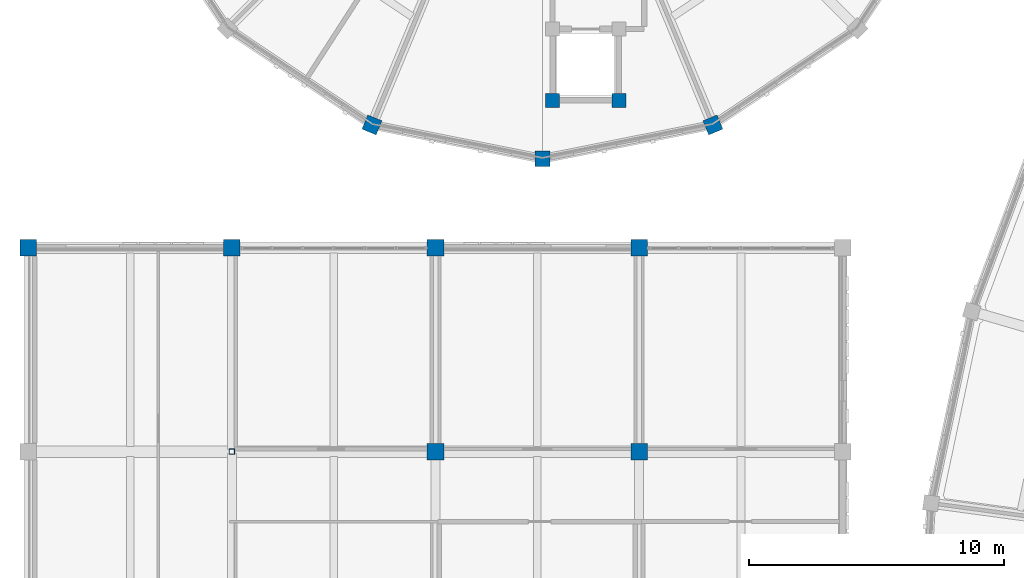
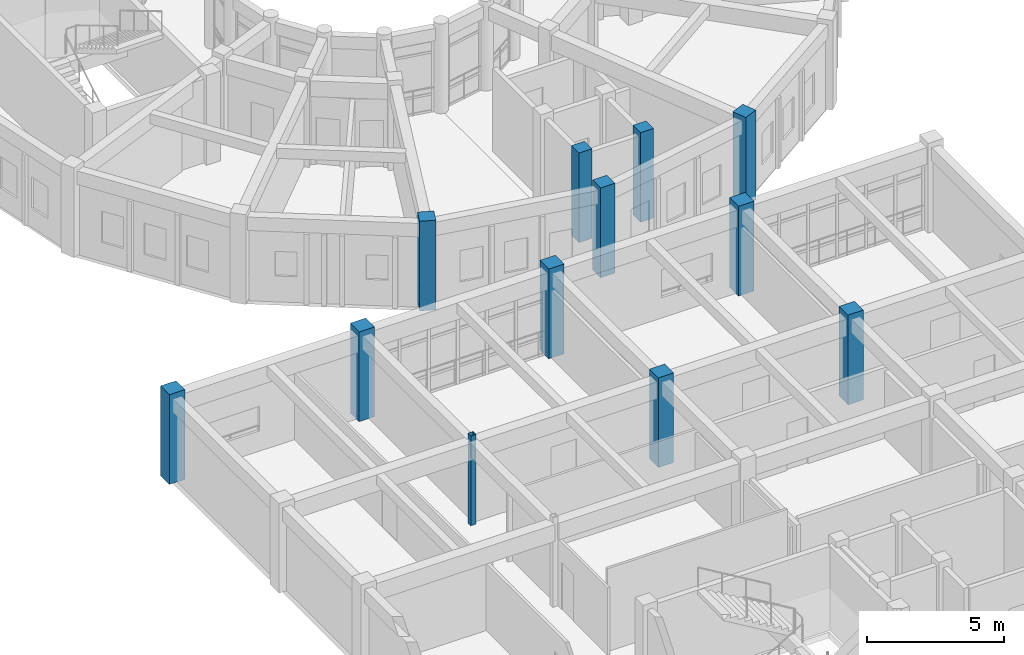
# One storey, part 5 of 112: 12 columns.
"""IFC4 building model written with IfcOpenShell, lengths in metres."""

from ifc_helpers import new_model, si_unit, direction, frame, origin, origin_2d, place, context, subcontext, project, spatial, rectangle, hollow_rectangle, extrude, material, material_profile, profile_set, type_object, element, save


model = new_model("IFC4")

# Units and contexts
model_context = context("Model", 3, precision=1e-05, world=origin(), true_north=direction((0.0, 1.0)))
body_context = subcontext(model_context, "Body", "Model", "MODEL_VIEW")
ifc_project = project(units=[si_unit("LENGTHUNIT", "METRE"), si_unit("AREAUNIT", "SQUARE_METRE"), si_unit("VOLUMEUNIT", "CUBIC_METRE"), si_unit("PLANEANGLEUNIT", "RADIAN"), si_unit("MASSUNIT", "GRAM", prefix="KILO")], contexts=[model_context])

# Site, building, storey
site_placement = place(None, origin())
site = spatial("IfcSite", under=ifc_project, at=site_placement, CompositionType="ELEMENT")
building_placement = place(site_placement, origin())
building = spatial("IfcBuilding", under=site, at=building_placement, Name="Celadon Cloister-Ring School", CompositionType="ELEMENT")
storey_placement = place(building_placement, frame((0.0, 0.0, 8.5)))
storey = spatial("IfcBuildingStorey", under=building, at=storey_placement, Name="L02", CompositionType="ELEMENT", Elevation=8.5)

# Columns
ifc_material_1 = material(Name="Concrete C40/50", Category="concrete")
ifc_material_profile_1 = material_profile(ifc_material_1, rectangle(XDim=0.64990234375, YDim=0.64990234375, at=origin_2d()), Name="RC650X650")
ifc_profile_set_1 = profile_set([ifc_material_profile_1], Name="Concrete C40/50")
column_type_1 = type_object("IfcColumnType", Name="CT-03", PredefinedType="COLUMN", material=ifc_profile_set_1)
for number, where, z_axis, x_axis, name in (
    (1, (16.0, 68.0, 0.0), (0.0, 0.0, 1.0), (1.0, 0.0, 0.0), "Column 1106"),
    (2, (24.0, 68.0, 0.0), (0.0, 0.0, 1.0), (1.0, 0.0, 0.0), "Column 1140"),
):
    element("IfcColumn", number, at=place(storey_placement, frame(where, z_axis=z_axis, x_axis=x_axis)), inside=storey, type_object=column_type_1, Name=name, PredefinedType="COLUMN", context=body_context, shape_type="SweptSolid", body=[
        extrude(rectangle(XDim=0.64990234375, YDim=0.64990234375, at=origin_2d()), origin(), (0.0, 0.0, 1.0), 4.0),
    ])
ifc_material_2 = material(Name="Concrete C40/50", Category="concrete")
ifc_material_profile_2 = material_profile(ifc_material_2, rectangle(XDim=0.550048828125, YDim=0.550048828125, at=origin_2d()), Name="RC550X550")
ifc_profile_set_2 = profile_set([ifc_material_profile_2], Name="Concrete C40/50")
column_type_2 = type_object("IfcColumnType", Name="CT-05", PredefinedType="COLUMN", material=ifc_profile_set_2)
for number, where, z_axis, x_axis, name in (
    (3, (20.60009765625, 81.800048828125, 0.0), (0.0, 0.0, 1.0), (1.0, 0.0, 0.0), "Column 0278"),
    (4, (23.199951171875, 81.800048828125, 0.0), (0.0, 0.0, 1.0), (1.0, 0.0, 0.0), "Column 0282"),
):
    element("IfcColumn", number, at=place(storey_placement, frame(where, z_axis=z_axis, x_axis=x_axis)), inside=storey, type_object=column_type_2, Name=name, PredefinedType="COLUMN", context=body_context, shape_type="SweptSolid", body=[
        extrude(rectangle(XDim=0.550048828125, YDim=0.550048828125, at=origin_2d()), origin(), (0.0, 0.0, 1.0), 4.0),
    ])
ifc_material_3 = material(Name="Structural steel S355JR", Category="steel")
ifc_material_profile_3 = material_profile(ifc_material_3, hollow_rectangle(XDim=0.219970703125, YDim=0.219970703125, WallThickness=0.010009765625, at=origin_2d()), Name="HSS220X220X10")
ifc_profile_set_3 = profile_set([ifc_material_profile_3], Name="Structural steel S355JR")
column_type_3 = type_object("IfcColumnType", Name="CT-09", PredefinedType="COLUMN", material=ifc_profile_set_3)
column_placement = place(storey_placement, frame((8.0, 68.0, 0.0), z_axis=(0.0, 0.0, 1.0), x_axis=(1.0, 0.0, 0.0)))
element("IfcColumn", 5, at=column_placement, inside=storey, type_object=column_type_3, Name="Column 1191", PredefinedType="COLUMN", context=body_context, shape_type="SweptSolid", body=[
    extrude(hollow_rectangle(XDim=0.219970703125, YDim=0.219970703125, WallThickness=0.010009765625, at=origin_2d()), origin(), (0.0, 0.0, 1.0), 4.0),
])
ifc_material_4 = material(Name="Concrete C40/50", Category="concrete")
ifc_material_profile_4 = material_profile(ifc_material_4, rectangle(XDim=0.64990234375, YDim=0.64990234375, at=origin_2d()), Name="RC650X650")
ifc_profile_set_4 = profile_set([ifc_material_profile_4], Name="Concrete C40/50")
column_type_4 = type_object("IfcColumnType", Name="CT-22", PredefinedType="COLUMN", material=ifc_profile_set_4)
for number, where, z_axis, x_axis, name in (
    (6, (0.0, 76.0, 0.0), (0.0, 0.0, 1.0), (1.0, 0.0, 0.0), "Column 1090"),
    (7, (16.0, 76.0, 0.0), (0.0, 0.0, 1.0), (1.0, 0.0, 0.0), "Column 1112"),
    (8, (24.0, 76.0, 0.0), (0.0, 0.0, 1.0), (1.0, 0.0, 0.0), "Column 1146"),
    (9, (8.0, 76.0, 0.0), (0.0, 0.0, 1.0), (1.0, 0.0, 0.0), "Column 1197"),
):
    element("IfcColumn", number, at=place(storey_placement, frame(where, z_axis=z_axis, x_axis=x_axis)), inside=storey, type_object=column_type_4, Name=name, PredefinedType="COLUMN", context=body_context, shape_type="SweptSolid", body=[
        extrude(rectangle(XDim=0.64990234375, YDim=0.64990234375, at=origin_2d()), origin(), (0.0, 0.0, 1.0), 4.0),
    ])
ifc_material_5 = material(Name="Concrete C40/50", Category="concrete")
ifc_material_profile_5 = material_profile(ifc_material_5, rectangle(XDim=0.60009765625, YDim=0.60009765625, at=origin_2d()), Name="RC600X600")
ifc_profile_set_5 = profile_set([ifc_material_profile_5], Name="Concrete C40/50")
column_type_5 = type_object("IfcColumnType", Name="CT-23", PredefinedType="COLUMN", material=ifc_profile_set_5)
for number, where, z_axis, x_axis, name in (
    (10, (13.5029296875, 80.83203125, 0.0), (0.0, 0.0, 1.0), (-0.382683432365, -0.923879532511, 0.0), "Column 0889"),
    (11, (20.199951171875, 79.5, 0.0), (0.0, 0.0, 1.0), (0.0, -1.0, 0.0), "Column 0893"),
    (12, (26.89697265625, 80.83203125, 0.0), (0.0, 0.0, 1.0), (0.382683432365, -0.923879532511, 0.0), "Column 0897"),
):
    element("IfcColumn", number, at=place(storey_placement, frame(where, z_axis=z_axis, x_axis=x_axis)), inside=storey, type_object=column_type_5, Name=name, PredefinedType="COLUMN", context=body_context, shape_type="SweptSolid", body=[
        extrude(rectangle(XDim=0.60009765625, YDim=0.60009765625, at=origin_2d()), origin(), (0.0, 0.0, 1.0), 4.0),
    ])

save(model, "model.ifc")
